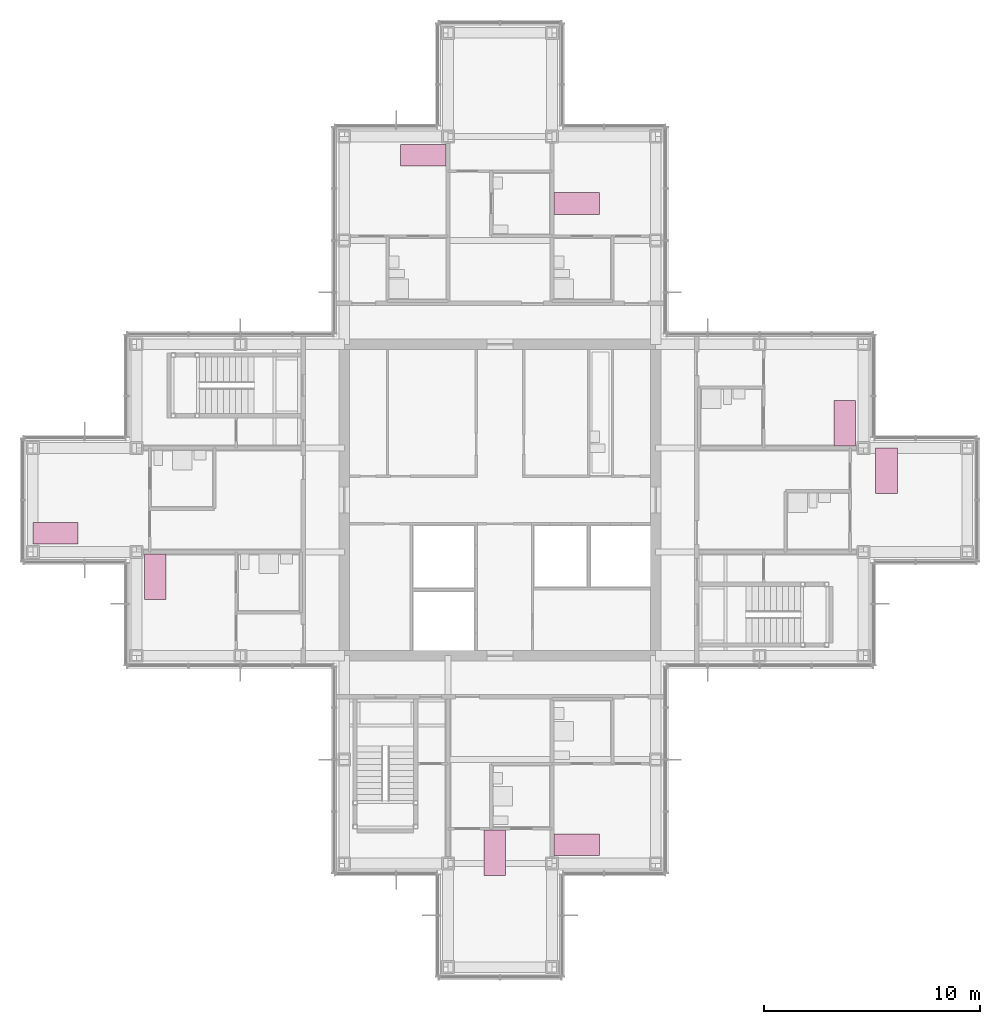
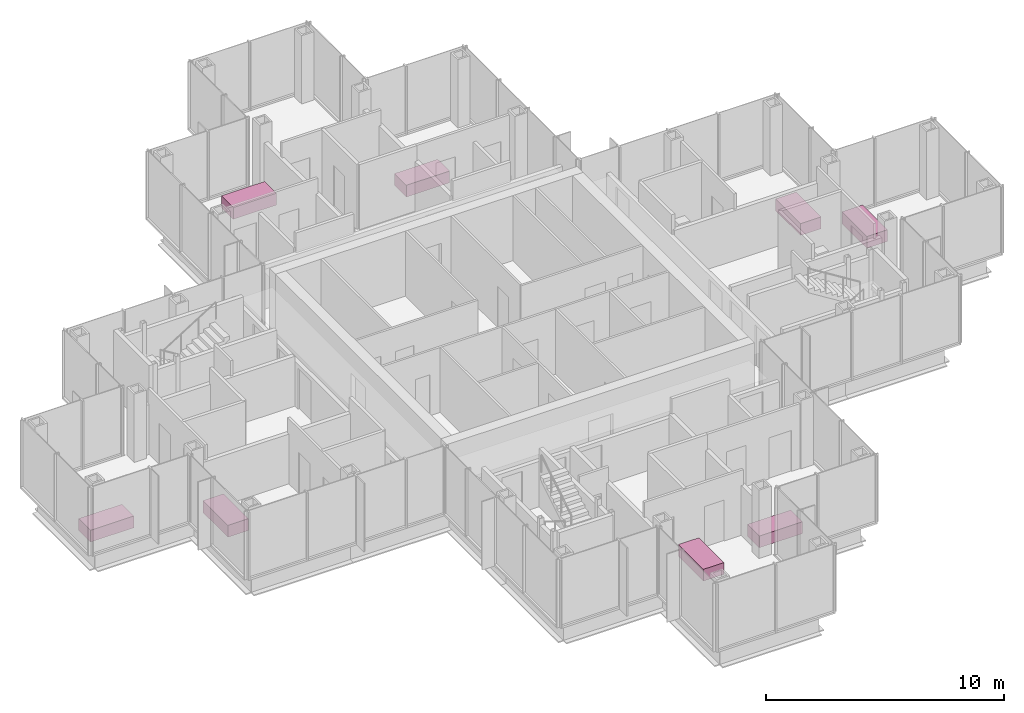
# One storey, part 17 of 17: 8 furniture elements.
"""IFC4 building model written with IfcOpenShell, lengths in metres."""

from ifc_helpers import new_model, si_unit, direction, frame, origin, origin_2d, place, context, subcontext, project, spatial, rectangle, extrude, material, type_object, element, save


model = new_model("IFC4")

# Units and contexts
model_context = context("Model", 3, precision=1e-05, world=origin(), true_north=direction((0.0, 1.0)))
body_context = subcontext(model_context, "Body", "Model", "MODEL_VIEW")
ifc_project = project(units=[si_unit("LENGTHUNIT", "METRE"), si_unit("AREAUNIT", "SQUARE_METRE"), si_unit("VOLUMEUNIT", "CUBIC_METRE"), si_unit("PLANEANGLEUNIT", "RADIAN"), si_unit("MASSUNIT", "GRAM", prefix="KILO")], contexts=[model_context])

# Site, building, storey
site_placement = place(None, origin())
site = spatial("IfcSite", under=ifc_project, at=site_placement, CompositionType="ELEMENT")
building_placement = place(site_placement, origin())
building = spatial("IfcBuilding", under=site, at=building_placement, Name="Kvirike Care Tower", CompositionType="ELEMENT")
storey_placement = place(building_placement, frame((0.0, 0.0, 183.0)))
storey = spatial("IfcBuildingStorey", under=building, at=storey_placement, Name="L50", CompositionType="ELEMENT", Elevation=183.0)

# Furniture
ifc_material = material(Name="Steel frame", Category="steel")
furniture_type = type_object("IfcFurnitureType", Name="CARE BED 1000 x 2100", AssemblyPlace="FACTORY", PredefinedType="BED", material=ifc_material)
for number, where, z_axis, x_axis, name in (
    (1, (1.052001953125, 34.469970703125, 0.0), (0.0, 0.0, 1.0), (0.0, 1.0, 0.0), "Care bed L50-005"),
    (2, (5.669921875, 32.447998046875, 0.0), (0.0, 0.0, 1.0), (1.0, 0.0, 0.0), "Care bed L50-008"),
    (3, (21.35009765625, 19.68798828125, 0.0), (0.0, 0.0, 1.0), (1.0, 0.0, 0.0), "Care bed L50-015"),
    (4, (25.152099609375, 20.070068359375, 0.0), (0.0, 0.0, 1.0), (0.0, 1.0, 0.0), "Care bed L50-018"),
    (5, (25.152099609375, 49.7099609375, 0.0), (0.0, 0.0, 1.0), (0.0, 1.0, 0.0), "Care bed L50-022"),
    (6, (18.048095703125, 51.929931640625, 0.0), (0.0, 0.0, 1.0), (0.0, -1.0, 0.0), "Care bed L50-028"),
    (7, (39.469970703125, 37.347900390625, 0.0), (0.0, 0.0, 1.0), (1.0, 0.0, 0.0), "Care bed L50-035"),
    (8, (37.530029296875, 39.552001953125, 0.0), (0.0, 0.0, 1.0), (-1.0, 0.0, 0.0), "Care bed L50-038"),
):
    element("IfcFurniture", number, at=place(storey_placement, frame(where, z_axis=z_axis, x_axis=x_axis)), inside=storey, type_object=furniture_type, Name=name, PredefinedType="BED", context=body_context, shape_type="SweptSolid", body=[
        extrude(rectangle(XDim=1.0, YDim=2.10009765625, at=origin_2d()), origin(), (0.0, 0.0, 1.0), 0.60009765625),
    ])

save(model, "model.ifc")
